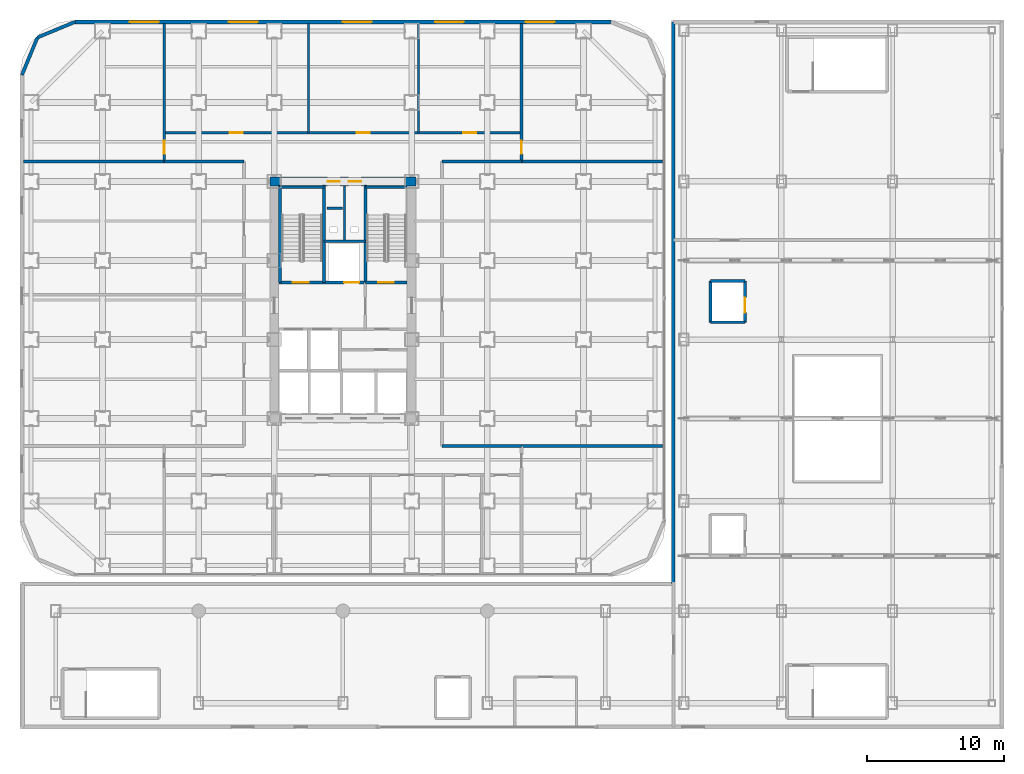
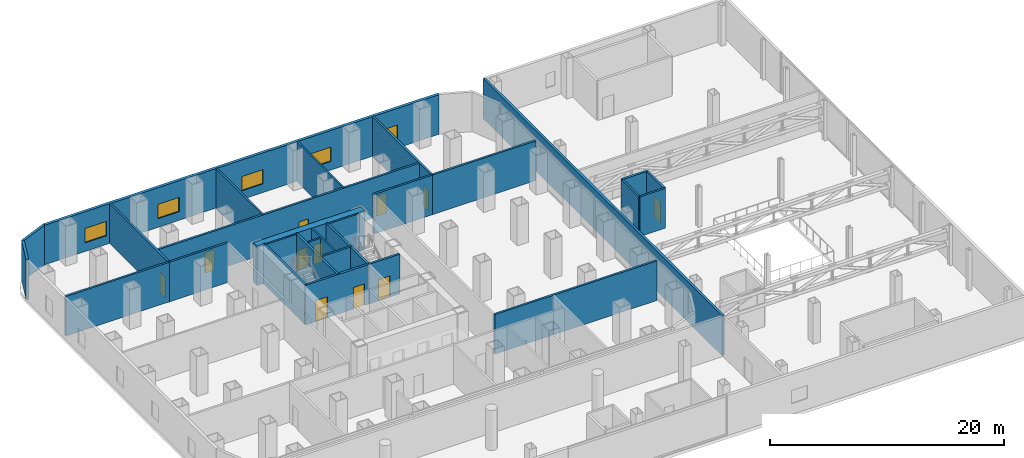
# One storey, part 24 of 28: 30 walls, 11 doors, 5 windows, 16 openings.
"""IFC4 building model written with IfcOpenShell, lengths in metres."""

from ifc_helpers import new_model, si_unit, direction, frame, frame_2d, origin, place, context, subcontext, project, spatial, rectangle, extrude, material, layer, layer_set, type_object, element, fill, save


model = new_model("IFC4")

# Units and contexts
model_context = context("Model", 3, precision=1e-05, world=origin(), true_north=direction((0.0, 1.0)))
body_context = subcontext(model_context, "Body", "Model", "MODEL_VIEW")
ifc_project = project(units=[si_unit("LENGTHUNIT", "METRE"), si_unit("AREAUNIT", "SQUARE_METRE"), si_unit("VOLUMEUNIT", "CUBIC_METRE"), si_unit("PLANEANGLEUNIT", "RADIAN"), si_unit("MASSUNIT", "GRAM", prefix="KILO")], contexts=[model_context])

# Site, building, storey
site_placement = place(None, origin())
site = spatial("IfcSite", under=ifc_project, at=site_placement, CompositionType="ELEMENT")
building_placement = place(site_placement, origin())
building = spatial("IfcBuilding", under=site, at=building_placement, Name="Kolveth Station Tower", CompositionType="ELEMENT")
storey_placement = place(building_placement, frame((0.0, 0.0, 18.0)))
storey = spatial("IfcBuildingStorey", under=building, at=storey_placement, Name="L04", CompositionType="ELEMENT", Elevation=18.0)

# Wall, openings, doors
ifc_material_1 = material(Name="Concrete C60/75", Category="concrete")
ifc_layer_1 = layer(ifc_material_1, 0.64990234375)
ifc_layer_set_1 = layer_set([ifc_layer_1], Name="Concrete C60/75")
wall_type_1 = type_object("IfcWallType", Name="Wall_CW-650", PredefinedType="SHEAR", material=ifc_layer_set_1)
wall_1_placement = place(storey_placement, frame((18.175048828125, 28.75, 0.0), z_axis=(0.0, 0.0, 1.0), x_axis=(1.0, 0.0, 0.0)))
wall_1 = element("IfcWall", 1, at=wall_1_placement, inside=storey, type_object=wall_type_1, Name="L04 Core RC Shear Wall N", PredefinedType="SHEAR", context=body_context, shape_type="SweptSolid", body=[
    extrude(rectangle(XDim=10.64990234375, YDim=0.64990234375, at=frame_2d((5.324951171875, 0.0))), origin(), (0.0, 0.0, 1.0), 4.139892578125),
])
opening_1_placement = place(wall_1_placement, frame((4.205078125, 0.0, 0.0)))
opening_1 = element("IfcOpeningElement", 2, at=opening_1_placement, cuts=wall_1, Name="Opening RD1", PredefinedType="OPENING", context=body_context, shape_type="SweptSolid", body=[
    extrude(rectangle(XDim=0.89990234375, YDim=2.050048828125, at=frame_2d((0.449951171875, 1.02490234375))), frame((0.0, 0.3349609375, 0.0), z_axis=(0.0, -1.0, 0.0), x_axis=(1.0, 0.0, 0.0)), (0.0, 0.0, 1.0), 0.669921875),
])
opening_2_placement = place(wall_1_placement, frame((5.7451171875, 0.0, 0.0)))
opening_2 = element("IfcOpeningElement", 3, at=opening_2_placement, cuts=wall_1, Name="Opening RD1", PredefinedType="OPENING", context=body_context, shape_type="SweptSolid", body=[
    extrude(rectangle(XDim=0.89990234375, YDim=2.050048828125, at=frame_2d((0.449951171875, 1.02490234375))), frame((0.0, 0.3349609375, 0.0), z_axis=(0.0, -1.0, 0.0), x_axis=(1.0, 0.0, 0.0)), (0.0, 0.0, 1.0), 0.669921875),
])
ifc_material_2 = material(Name="Fire-rated Steel S355 riser access leaf", Category="steel")
door_type_1 = type_object("IfcDoorType", Name="Door_RD1", OperationType="NOTDEFINED", PredefinedType="DOOR", material=ifc_material_2)
door_1_placement = place(opening_1_placement, origin())
door_1 = element("IfcDoor", 4, at=door_1_placement, inside=storey, type_object=door_type_1, Name="L04 Electrical Riser Access Door", OperationType="SINGLE_SWING_RIGHT", OverallHeight=2.050048828125, OverallWidth=0.89990234375, PredefinedType="DOOR", context=body_context, shape_type="SweptSolid", body=[
    extrude(rectangle(XDim=0.89990234375, YDim=2.050048828125, at=frame_2d((0.449951171875, 1.02490234375))), frame((0.0, 0.02490234375, 0.0), z_axis=(0.0, -1.0, 0.0), x_axis=(1.0, 0.0, 0.0)), (0.0, 0.0, 1.0), 0.050048828125),
])
fill(opening_1, door_1)
door_2_placement = place(opening_2_placement, origin())
door_2 = element("IfcDoor", 5, at=door_2_placement, inside=storey, type_object=door_type_1, Name="L04 Smoke Duct Access Door", OperationType="SINGLE_SWING_LEFT", OverallHeight=2.050048828125, OverallWidth=0.89990234375, PredefinedType="DOOR", context=body_context, shape_type="SweptSolid", body=[
    extrude(rectangle(XDim=0.89990234375, YDim=2.050048828125, at=frame_2d((0.449951171875, 1.02490234375))), frame((0.0, 0.02490234375, 0.0), z_axis=(0.0, -1.0, 0.0), x_axis=(1.0, 0.0, 0.0)), (0.0, 0.0, 1.0), 0.050048828125),
])
fill(opening_2, door_2)

# Walls
ifc_material_3 = material(Name="Precast concrete C40/50", Category="concrete")
ifc_layer_2 = layer(ifc_material_3, 0.239990234375)
ifc_layer_set_2 = layer_set([ifc_layer_2], Name="Precast concrete C40/50")
wall_type_2 = type_object("IfcWallType", Name="Wall_EW-240", PredefinedType="SOLIDWALL", material=ifc_layer_set_2)
for number, where, z_axis, x_axis, name in (
    (6, (4.0, 40.360107421875, 0.0), (0.0, 0.0, 1.0), (-0.923876833688, -0.382689947836, 0.0), "L04 Podium Rounded Corner Wall 5"),
    (7, (1.2705078125, 39.2294921875, 0.0), (0.0, 0.0, 1.0), (-0.382689947836, -0.923876833688, 0.0), "L04 Podium Rounded Corner Wall 6"),
):
    element("IfcWall", number, at=place(storey_placement, frame(where, z_axis=z_axis, x_axis=x_axis)), inside=storey, type_object=wall_type_2, Name=name, PredefinedType="SOLIDWALL", context=body_context, shape_type="SweptSolid", body=[
        extrude(rectangle(XDim=2.954345703125, YDim=0.239990234375, at=frame_2d((1.47705078125, 0.0))), origin(), (0.0, 0.0, 1.0), 4.139892578125),
    ])
wall_2_placement = place(storey_placement, frame((47.5400390625, -0.5400390625, 0.0), z_axis=(0.0, 0.0, 1.0), x_axis=(0.0, 1.0, 0.0)))
element("IfcWall", 8, at=wall_2_placement, inside=storey, type_object=wall_type_2, Name="L04 Station Exterior Wall JW", PredefinedType="SOLIDWALL", context=body_context, shape_type="SweptSolid", body=[
    extrude(rectangle(XDim=40.89013671875, YDim=0.239990234375, at=frame_2d((20.445068359375, 0.0))), origin(), (0.0, 0.0, 1.0), 4.199951171875),
])

# Wall, openings, windows
ifc_layer_3 = layer(ifc_material_3, 0.280029296875)
ifc_layer_set_3 = layer_set([ifc_layer_3], Name="Precast concrete C40/50")
wall_type_3 = type_object("IfcWallType", Name="Wall_EW-280", PredefinedType="SOLIDWALL", material=ifc_layer_set_3)
wall_3_placement = place(storey_placement, frame((4.0, 40.360107421875, 0.0), z_axis=(0.0, 0.0, 1.0), x_axis=(1.0, 0.0, 0.0)))
wall_3 = element("IfcWall", 9, at=wall_3_placement, inside=storey, type_object=wall_type_3, Name="L04 Tower Podium North Exterior Wall", PredefinedType="SOLIDWALL", context=body_context, shape_type="SweptSolid", body=[
    extrude(rectangle(XDim=39.0, YDim=0.280029296875, at=frame_2d((19.5, 0.0))), origin(), (0.0, 0.0, 1.0), 4.139892578125),
])
opening_3_placement = place(wall_3_placement, frame((4.0, 0.0, 0.89990234375)))
opening_3 = element("IfcOpeningElement", 10, at=opening_3_placement, cuts=wall_3, Name="Opening W6", PredefinedType="OPENING", context=body_context, shape_type="SweptSolid", body=[
    extrude(rectangle(XDim=2.10009765625, YDim=1.5, at=frame_2d((1.050048828125, 0.75))), frame((0.0, 0.14990234375, 0.0), z_axis=(0.0, -1.0, 0.0), x_axis=(1.0, 0.0, 0.0)), (0.0, 0.0, 1.0), 0.300048828125),
])
opening_4_placement = place(wall_3_placement, frame((11.199951171875, 0.0, 0.89990234375)))
opening_4 = element("IfcOpeningElement", 11, at=opening_4_placement, cuts=wall_3, Name="Opening W6", PredefinedType="OPENING", context=body_context, shape_type="SweptSolid", body=[
    extrude(rectangle(XDim=2.10009765625, YDim=1.5, at=frame_2d((1.050048828125, 0.75))), frame((0.0, 0.14990234375, 0.0), z_axis=(0.0, -1.0, 0.0), x_axis=(1.0, 0.0, 0.0)), (0.0, 0.0, 1.0), 0.300048828125),
])
opening_5_placement = place(wall_3_placement, frame((19.5, 0.0, 0.89990234375)))
opening_5 = element("IfcOpeningElement", 12, at=opening_5_placement, cuts=wall_3, Name="Opening W6", PredefinedType="OPENING", context=body_context, shape_type="SweptSolid", body=[
    extrude(rectangle(XDim=2.10009765625, YDim=1.5, at=frame_2d((1.050048828125, 0.75))), frame((0.0, 0.14990234375, 0.0), z_axis=(0.0, -1.0, 0.0), x_axis=(1.0, 0.0, 0.0)), (0.0, 0.0, 1.0), 0.300048828125),
])
opening_6_placement = place(wall_3_placement, frame((26.199951171875, 0.0, 0.89990234375)))
opening_6 = element("IfcOpeningElement", 13, at=opening_6_placement, cuts=wall_3, Name="Opening W6", PredefinedType="OPENING", context=body_context, shape_type="SweptSolid", body=[
    extrude(rectangle(XDim=2.10009765625, YDim=1.5, at=frame_2d((1.050048828125, 0.75))), frame((0.0, 0.14990234375, 0.0), z_axis=(0.0, -1.0, 0.0), x_axis=(1.0, 0.0, 0.0)), (0.0, 0.0, 1.0), 0.300048828125),
])
opening_7_placement = place(wall_3_placement, frame((32.800048828125, 0.0, 0.89990234375)))
opening_7 = element("IfcOpeningElement", 14, at=opening_7_placement, cuts=wall_3, Name="Opening W6", PredefinedType="OPENING", context=body_context, shape_type="SweptSolid", body=[
    extrude(rectangle(XDim=2.10009765625, YDim=1.5, at=frame_2d((1.050048828125, 0.75))), frame((0.0, 0.14990234375, 0.0), z_axis=(0.0, -1.0, 0.0), x_axis=(1.0, 0.0, 0.0)), (0.0, 0.0, 1.0), 0.300048828125),
])
ifc_material_4 = material(Name="Black anodized aluminium 6063-T6 and clear station glass", Category="aluminium")
window_type = type_object("IfcWindowType", Name="Win_W6", PartitioningType="SINGLE_PANEL", PredefinedType="WINDOW", material=ifc_material_4)
window_1_placement = place(opening_3_placement, origin())
window_1 = element("IfcWindow", 15, at=window_1_placement, inside=storey, type_object=window_type, Name="L04 Tower Podium North Window 1", OverallHeight=1.5, OverallWidth=2.10009765625, PartitioningType="SINGLE_PANEL", PredefinedType="WINDOW", context=body_context, shape_type="SweptSolid", body=[
    extrude(rectangle(XDim=2.10009765625, YDim=1.5, at=frame_2d((1.050048828125, 0.75))), frame((0.0, 0.030029296875, 0.0), z_axis=(0.0, -1.0, 0.0), x_axis=(1.0, 0.0, 0.0)), (0.0, 0.0, 1.0), 0.06005859375),
])
fill(opening_3, window_1)
window_2_placement = place(opening_4_placement, origin())
window_2 = element("IfcWindow", 16, at=window_2_placement, inside=storey, type_object=window_type, Name="L04 Tower Podium North Window 2", OverallHeight=1.5, OverallWidth=2.10009765625, PartitioningType="SINGLE_PANEL", PredefinedType="WINDOW", context=body_context, shape_type="SweptSolid", body=[
    extrude(rectangle(XDim=2.10009765625, YDim=1.5, at=frame_2d((1.050048828125, 0.75))), frame((0.0, 0.030029296875, 0.0), z_axis=(0.0, -1.0, 0.0), x_axis=(1.0, 0.0, 0.0)), (0.0, 0.0, 1.0), 0.06005859375),
])
fill(opening_4, window_2)
window_3_placement = place(opening_5_placement, origin())
window_3 = element("IfcWindow", 17, at=window_3_placement, inside=storey, type_object=window_type, Name="L04 Tower Podium North Window 3", OverallHeight=1.5, OverallWidth=2.10009765625, PartitioningType="SINGLE_PANEL", PredefinedType="WINDOW", context=body_context, shape_type="SweptSolid", body=[
    extrude(rectangle(XDim=2.10009765625, YDim=1.5, at=frame_2d((1.050048828125, 0.75))), frame((0.0, 0.030029296875, 0.0), z_axis=(0.0, -1.0, 0.0), x_axis=(1.0, 0.0, 0.0)), (0.0, 0.0, 1.0), 0.06005859375),
])
fill(opening_5, window_3)
window_4_placement = place(opening_6_placement, origin())
window_4 = element("IfcWindow", 18, at=window_4_placement, inside=storey, type_object=window_type, Name="L04 Tower Podium North Window 4", OverallHeight=1.5, OverallWidth=2.10009765625, PartitioningType="SINGLE_PANEL", PredefinedType="WINDOW", context=body_context, shape_type="SweptSolid", body=[
    extrude(rectangle(XDim=2.10009765625, YDim=1.5, at=frame_2d((1.050048828125, 0.75))), frame((0.0, 0.030029296875, 0.0), z_axis=(0.0, -1.0, 0.0), x_axis=(1.0, 0.0, 0.0)), (0.0, 0.0, 1.0), 0.06005859375),
])
fill(opening_6, window_4)
window_5_placement = place(opening_7_placement, origin())
window_5 = element("IfcWindow", 19, at=window_5_placement, inside=storey, type_object=window_type, Name="L04 Tower Podium North Window 5", OverallHeight=1.5, OverallWidth=2.10009765625, PartitioningType="SINGLE_PANEL", PredefinedType="WINDOW", context=body_context, shape_type="SweptSolid", body=[
    extrude(rectangle(XDim=2.10009765625, YDim=1.5, at=frame_2d((1.050048828125, 0.75))), frame((0.0, 0.030029296875, 0.0), z_axis=(0.0, -1.0, 0.0), x_axis=(1.0, 0.0, 0.0)), (0.0, 0.0, 1.0), 0.06005859375),
])
fill(opening_7, window_5)

# Walls
ifc_material_5 = material(Name="Acoustic double-stud gypsum partition")
ifc_layer_4 = layer(ifc_material_5, 0.1650390625)
ifc_layer_set_4 = layer_set([ifc_layer_4], Name="Acoustic double-stud gypsum partition")
wall_type_4 = type_object("IfcWallType", Name="Wall_IW-165", PredefinedType="PARTITIONING", material=ifc_layer_set_4)
wall_4_placement = place(storey_placement, frame((18.8349609375, 28.3349609375, 0.0), z_axis=(0.0, 0.0, 1.0), x_axis=(1.0, 0.0, 0.0)))
element("IfcWall", 20, at=wall_4_placement, inside=storey, type_object=wall_type_4, Name="L04 Stair Shaft Wall WL-L04-ST1-N", PredefinedType="PARTITIONING", context=body_context, shape_type="SweptSolid", body=[
    extrude(rectangle(XDim=3.275146484375, YDim=0.1650390625, at=frame_2d((1.6376953125, 0.0))), origin(), (0.0, 0.0, 1.0), 4.139892578125),
])
wall_5_placement = place(storey_placement, frame((25.1298828125, 28.3349609375, 0.0), z_axis=(0.0, 0.0, 1.0), x_axis=(1.0, 0.0, 0.0)))
element("IfcWall", 21, at=wall_5_placement, inside=storey, type_object=wall_type_4, Name="L04 Stair Shaft Wall WL-L04-ST2-N", PredefinedType="PARTITIONING", context=body_context, shape_type="SweptSolid", body=[
    extrude(rectangle(XDim=3.03515625, YDim=0.1650390625, at=frame_2d((1.517578125, 0.0))), origin(), (0.0, 0.0, 1.0), 4.139892578125),
])
wall_6_placement = place(storey_placement, frame((23.6201171875, 24.39990234375, 0.0), z_axis=(0.0, 0.0, 1.0), x_axis=(0.0, 1.0, 0.0)))
element("IfcWall", 22, at=wall_6_placement, inside=storey, type_object=wall_type_4, Name="L04 Partition Wall WL-L04-RSR-M", PredefinedType="PARTITIONING", context=body_context, shape_type="SweptSolid", body=[
    extrude(rectangle(XDim=4.01513671875, YDim=0.1650390625, at=frame_2d((2.007568359375, 0.0))), origin(), (0.0, 0.0, 1.0), 4.139892578125),
])
for number, where, z_axis, x_axis, name in (
    (23, (21.0, 32.300048828125, 0.0), (0.0, 0.0, 1.0), (0.0, 1.0, 0.0), "L04 Partition Wall WL-L04-TPN-P1"),
    (24, (29.0, 32.300048828125, 0.0), (0.0, 0.0, 1.0), (0.0, 1.0, 0.0), "L04 Partition Wall WL-L04-TPN-P2"),
):
    element("IfcWall", number, at=place(storey_placement, frame(where, z_axis=z_axis, x_axis=x_axis)), inside=storey, type_object=wall_type_4, Name=name, PredefinedType="PARTITIONING", context=body_context, shape_type="SweptSolid", body=[
        extrude(rectangle(XDim=7.949951171875, YDim=0.1650390625, at=frame_2d((3.97509765625, 0.0))), origin(), (0.0, 0.0, 1.0), 4.139892578125),
    ])
wall_7_placement = place(storey_placement, frame((22.35009765625, 26.800048828125, 0.0), z_axis=(0.0, 0.0, 1.0), x_axis=(1.0, 0.0, 0.0)))
element("IfcWall", 25, at=wall_7_placement, inside=storey, type_object=wall_type_4, Name="L04 Acoustic Riser Dry-Lining Wall", PredefinedType="PARTITIONING", context=body_context, shape_type="SweptSolid", body=[
    extrude(rectangle(XDim=1.099853515625, YDim=0.1650390625, at=frame_2d((0.5498046875, 0.0))), origin(), (0.0, 0.0, 1.0), 4.139892578125),
])
ifc_material_6 = material(Name="Acoustic fire-rated gypsum blockwork", Category="masonry")
ifc_layer_5 = layer(ifc_material_6, 0.199951171875)
ifc_layer_set_5 = layer_set([ifc_layer_5], Name="Acoustic fire-rated gypsum blockwork")
wall_type_5 = type_object("IfcWallType", Name="Wall_IW-200", PredefinedType="PARTITIONING", material=ifc_layer_set_5)
wall_8_placement = place(storey_placement, frame((22.110107421875, 24.39990234375, 0.0), z_axis=(0.0, 0.0, 1.0), x_axis=(1.0, 0.0, 0.0)))
element("IfcWall", 26, at=wall_8_placement, inside=storey, type_object=wall_type_5, Name="L04 Partition Wall WL-L04-RSR-S", PredefinedType="PARTITIONING", context=body_context, shape_type="SweptSolid", body=[
    extrude(rectangle(XDim=3.019775390625, YDim=0.199951171875, at=frame_2d((1.509765625, 0.0))), origin(), (0.0, 0.0, 1.0), 4.139892578125),
])

# Wall, openings, doors
wall_9_placement = place(storey_placement, frame((10.5, 32.300048828125, 0.0), z_axis=(0.0, 0.0, 1.0), x_axis=(1.0, 0.0, 0.0)))
wall_9 = element("IfcWall", 27, at=wall_9_placement, inside=storey, type_object=wall_type_5, Name="L04 Partition Wall WL-L04-BN", PredefinedType="PARTITIONING", context=body_context, shape_type="SweptSolid", body=[
    extrude(rectangle(XDim=26.0, YDim=0.199951171875, at=frame_2d((13.0, 0.0))), origin(), (0.0, 0.0, 1.0), 4.139892578125),
])
opening_8_placement = place(wall_9_placement, frame((4.75, 0.0, 0.0)))
opening_8 = element("IfcOpeningElement", 28, at=opening_8_placement, cuts=wall_9, Name="Opening ID1", PredefinedType="OPENING", context=body_context, shape_type="SweptSolid", body=[
    extrude(rectangle(XDim=0.949951171875, YDim=2.14990234375, at=frame_2d((0.47509765625, 1.074951171875))), frame((0.0, 0.10986328125, 0.0), z_axis=(0.0, -1.0, 0.0), x_axis=(1.0, 0.0, 0.0)), (0.0, 0.0, 1.0), 0.219970703125),
])
opening_9_placement = place(wall_9_placement, frame((14.0, 0.0, 0.0)))
opening_9 = element("IfcOpeningElement", 29, at=opening_9_placement, cuts=wall_9, Name="Opening ID1", PredefinedType="OPENING", context=body_context, shape_type="SweptSolid", body=[
    extrude(rectangle(XDim=0.949951171875, YDim=2.14990234375, at=frame_2d((0.47509765625, 1.074951171875))), frame((0.0, 0.10986328125, 0.0), z_axis=(0.0, -1.0, 0.0), x_axis=(1.0, 0.0, 0.0)), (0.0, 0.0, 1.0), 0.219970703125),
])
opening_10_placement = place(wall_9_placement, frame((21.75, 0.0, 0.0)))
opening_10 = element("IfcOpeningElement", 30, at=opening_10_placement, cuts=wall_9, Name="Opening ID1", PredefinedType="OPENING", context=body_context, shape_type="SweptSolid", body=[
    extrude(rectangle(XDim=0.949951171875, YDim=2.14990234375, at=frame_2d((0.47509765625, 1.074951171875))), frame((0.0, 0.10986328125, 0.0), z_axis=(0.0, -1.0, 0.0), x_axis=(1.0, 0.0, 0.0)), (0.0, 0.0, 1.0), 0.219970703125),
])
ifc_material_7 = material(Name="Acoustic hardwood leaf and aluminium frame", Category="wood")
door_type_2 = type_object("IfcDoorType", Name="Door_ID1", OperationType="NOTDEFINED", PredefinedType="DOOR", material=ifc_material_7)
door_3_placement = place(opening_8_placement, origin())
door_3 = element("IfcDoor", 31, at=door_3_placement, inside=storey, type_object=door_type_2, Name="L04 Quiet Study 1 Door", OperationType="SINGLE_SWING_LEFT", OverallHeight=2.14990234375, OverallWidth=0.949951171875, PredefinedType="DOOR", context=body_context, shape_type="SweptSolid", body=[
    extrude(rectangle(XDim=0.949951171875, YDim=2.14990234375, at=frame_2d((0.47509765625, 1.074951171875))), frame((0.0, 0.02490234375, 0.0), z_axis=(0.0, -1.0, 0.0), x_axis=(1.0, 0.0, 0.0)), (0.0, 0.0, 1.0), 0.050048828125),
])
fill(opening_8, door_3)
door_4_placement = place(opening_9_placement, origin())
door_4 = element("IfcDoor", 32, at=door_4_placement, inside=storey, type_object=door_type_2, Name="L04 Quiet Study 2 Door", OperationType="SINGLE_SWING_RIGHT", OverallHeight=2.14990234375, OverallWidth=0.949951171875, PredefinedType="DOOR", context=body_context, shape_type="SweptSolid", body=[
    extrude(rectangle(XDim=0.949951171875, YDim=2.14990234375, at=frame_2d((0.47509765625, 1.074951171875))), frame((0.0, 0.02490234375, 0.0), z_axis=(0.0, -1.0, 0.0), x_axis=(1.0, 0.0, 0.0)), (0.0, 0.0, 1.0), 0.050048828125),
])
fill(opening_9, door_4)
door_5_placement = place(opening_10_placement, origin())
door_5 = element("IfcDoor", 33, at=door_5_placement, inside=storey, type_object=door_type_2, Name="L04 Executive Boardroom Door", OperationType="SINGLE_SWING_LEFT", OverallHeight=2.14990234375, OverallWidth=0.949951171875, PredefinedType="DOOR", context=body_context, shape_type="SweptSolid", body=[
    extrude(rectangle(XDim=0.949951171875, YDim=2.14990234375, at=frame_2d((0.47509765625, 1.074951171875))), frame((0.0, 0.02490234375, 0.0), z_axis=(0.0, -1.0, 0.0), x_axis=(1.0, 0.0, 0.0)), (0.0, 0.0, 1.0), 0.050048828125),
])
fill(opening_10, door_5)

# Walls
for number, where, z_axis, x_axis, name in (
    (34, (30.699951171875, 9.5, 0.0), (0.0, 0.0, 1.0), (1.0, 0.0, 0.0), "L04 Partition Wall WL-L04-BSET"),
    (35, (10.5, 30.199951171875, 0.0), (0.0, 0.0, 1.0), (1.0, 0.0, 0.0), "L04 Partition Wall WL-L04-BNWB"),
    (36, (30.699951171875, 30.199951171875, 0.0), (0.0, 0.0, 1.0), (1.0, 0.0, 0.0), "L04 Partition Wall WL-L04-BNEB"),
):
    element("IfcWall", number, at=place(storey_placement, frame(where, z_axis=z_axis, x_axis=x_axis)), inside=storey, type_object=wall_type_5, Name=name, PredefinedType="PARTITIONING", context=body_context, shape_type="SweptSolid", body=[
        extrude(rectangle(XDim=5.800048828125, YDim=0.199951171875, at=frame_2d((2.89990234375, 0.0))), origin(), (0.0, 0.0, 1.0), 4.139892578125),
    ])

# Wall, opening, door
wall_10_placement = place(storey_placement, frame((10.5, 30.199951171875, 0.0), z_axis=(0.0, 0.0, 1.0), x_axis=(0.0, 1.0, 0.0)))
wall_10 = element("IfcWall", 37, at=wall_10_placement, inside=storey, type_object=wall_type_5, Name="L04 Partition Wall WL-L04-BWN", PredefinedType="PARTITIONING", context=body_context, shape_type="SweptSolid", body=[
    extrude(rectangle(XDim=10.050048828125, YDim=0.199951171875, at=frame_2d((5.02490234375, 0.0))), origin(), (0.0, 0.0, 1.0), 4.139892578125),
])
opening_11_placement = place(wall_10_placement, frame((0.550048828125, 0.0, 0.0)))
opening_11 = element("IfcOpeningElement", 38, at=opening_11_placement, cuts=wall_10, Name="Opening ID1", PredefinedType="OPENING", context=body_context, shape_type="SweptSolid", body=[
    extrude(rectangle(XDim=0.949951171875, YDim=2.14990234375, at=frame_2d((0.47509765625, 1.074951171875))), frame((0.0, 0.10986328125, 0.0), z_axis=(0.0, -1.0, 0.0), x_axis=(1.0, 0.0, 0.0)), (0.0, 0.0, 1.0), 0.219970703125),
])
door_6_placement = place(opening_11_placement, frame((0.949951171875, 0.0, 0.0), z_axis=(0.0, 0.0, 1.0), x_axis=(-1.0, 0.0, 0.0)))
door_6 = element("IfcDoor", 39, at=door_6_placement, inside=storey, type_object=door_type_2, Name="L04 Podium Clinic Office CNW Door", OperationType="SINGLE_SWING_LEFT", OverallHeight=2.14990234375, OverallWidth=0.949951171875, PredefinedType="DOOR", context=body_context, shape_type="SweptSolid", body=[
    extrude(rectangle(XDim=0.949951171875, YDim=2.14990234375, at=frame_2d((0.47509765625, 1.074951171875))), frame((0.0, 0.02490234375, 0.0), z_axis=(0.0, -1.0, 0.0), x_axis=(1.0, 0.0, 0.0)), (0.0, 0.0, 1.0), 0.050048828125),
])
fill(opening_11, door_6)

wall_11_placement = place(storey_placement, frame((36.5, 30.199951171875, 0.0), z_axis=(0.0, 0.0, 1.0), x_axis=(0.0, 1.0, 0.0)))
wall_11 = element("IfcWall", 40, at=wall_11_placement, inside=storey, type_object=wall_type_5, Name="L04 Partition Wall WL-L04-BEN", PredefinedType="PARTITIONING", context=body_context, shape_type="SweptSolid", body=[
    extrude(rectangle(XDim=10.050048828125, YDim=0.199951171875, at=frame_2d((5.02490234375, 0.0))), origin(), (0.0, 0.0, 1.0), 4.139892578125),
])
opening_12_placement = place(wall_11_placement, frame((0.550048828125, 0.0, 0.0)))
opening_12 = element("IfcOpeningElement", 41, at=opening_12_placement, cuts=wall_11, Name="Opening ID1", PredefinedType="OPENING", context=body_context, shape_type="SweptSolid", body=[
    extrude(rectangle(XDim=0.949951171875, YDim=2.14990234375, at=frame_2d((0.47509765625, 1.074951171875))), frame((0.0, 0.10986328125, 0.0), z_axis=(0.0, -1.0, 0.0), x_axis=(1.0, 0.0, 0.0)), (0.0, 0.0, 1.0), 0.219970703125),
])
door_7_placement = place(opening_12_placement, origin())
door_7 = element("IfcDoor", 42, at=door_7_placement, inside=storey, type_object=door_type_2, Name="L04 Podium Clinic Office CNE Door", OperationType="SINGLE_SWING_LEFT", OverallHeight=2.14990234375, OverallWidth=0.949951171875, PredefinedType="DOOR", context=body_context, shape_type="SweptSolid", body=[
    extrude(rectangle(XDim=0.949951171875, YDim=2.14990234375, at=frame_2d((0.47509765625, 1.074951171875))), frame((0.0, 0.02490234375, 0.0), z_axis=(0.0, -1.0, 0.0), x_axis=(1.0, 0.0, 0.0)), (0.0, 0.0, 1.0), 0.050048828125),
])
fill(opening_12, door_7)

# Walls
for number, where, z_axis, x_axis, name in (
    (43, (0.25, 30.199951171875, 0.0), (0.0, 0.0, 1.0), (1.0, 0.0, 0.0), "L04 Partition Wall WL-L04-BWM2"),
    (44, (36.5, 9.5, 0.0), (0.0, 0.0, 1.0), (1.0, 0.0, 0.0), "L04 Partition Wall WL-L04-BEM1"),
    (45, (36.5, 30.199951171875, 0.0), (0.0, 0.0, 1.0), (1.0, 0.0, 0.0), "L04 Partition Wall WL-L04-BEM2"),
):
    element("IfcWall", number, at=place(storey_placement, frame(where, z_axis=z_axis, x_axis=x_axis)), inside=storey, type_object=wall_type_5, Name=name, PredefinedType="PARTITIONING", context=body_context, shape_type="SweptSolid", body=[
        extrude(rectangle(XDim=10.25, YDim=0.199951171875, at=frame_2d((5.125, 0.0))), origin(), (0.0, 0.0, 1.0), 4.139892578125),
    ])
for number, where, z_axis, x_axis, name in (
    (46, (50.25, 18.5, 0.0), (0.0, 0.0, 1.0), (1.0, 0.0, 0.0), "L04 Partition Wall WL-L04-SL2-S"),
    (47, (50.25, 21.5, 0.0), (0.0, 0.0, 1.0), (1.0, 0.0, 0.0), "L04 Partition Wall WL-L04-SL2-N"),
):
    element("IfcWall", number, at=place(storey_placement, frame(where, z_axis=z_axis, x_axis=x_axis)), inside=storey, type_object=wall_type_5, Name=name, PredefinedType="PARTITIONING", context=body_context, shape_type="SweptSolid", body=[
        extrude(rectangle(XDim=2.5, YDim=0.199951171875, at=frame_2d((1.25, 0.0))), origin(), (0.0, 0.0, 1.0), 4.139892578125),
    ])
wall_12_placement = place(storey_placement, frame((50.25, 18.5, 0.0), z_axis=(0.0, 0.0, 1.0), x_axis=(0.0, 1.0, 0.0)))
element("IfcWall", 48, at=wall_12_placement, inside=storey, type_object=wall_type_5, Name="L04 Partition Wall WL-L04-SL2-W", PredefinedType="PARTITIONING", context=body_context, shape_type="SweptSolid", body=[
    extrude(rectangle(XDim=3.0, YDim=0.199951171875, at=frame_2d((1.5, 0.0))), origin(), (0.0, 0.0, 1.0), 4.139892578125),
])

# Wall, opening, door
wall_13_placement = place(storey_placement, frame((52.75, 18.5, 0.0), z_axis=(0.0, 0.0, 1.0), x_axis=(0.0, 1.0, 0.0)))
wall_13 = element("IfcWall", 49, at=wall_13_placement, inside=storey, type_object=wall_type_5, Name="L04 Partition Wall WL-L04-SL2-E", PredefinedType="PARTITIONING", context=body_context, shape_type="SweptSolid", body=[
    extrude(rectangle(XDim=3.0, YDim=0.199951171875, at=frame_2d((1.5, 0.0))), origin(), (0.0, 0.0, 1.0), 4.139892578125),
])
opening_13_placement = place(wall_13_placement, frame((0.699951171875, 0.0, 0.0)))
opening_13 = element("IfcOpeningElement", 50, at=opening_13_placement, cuts=wall_13, Name="Opening LD1", PredefinedType="OPENING", context=body_context, shape_type="SweptSolid", body=[
    extrude(rectangle(XDim=1.10009765625, YDim=2.25, at=frame_2d((0.550048828125, 1.125))), frame((0.0, 0.10986328125, 0.0), z_axis=(0.0, -1.0, 0.0), x_axis=(1.0, 0.0, 0.0)), (0.0, 0.0, 1.0), 0.219970703125),
])
ifc_material_8 = material(Name="Brushed stainless steel sliding landing doors", Category="steel")
door_type_3 = type_object("IfcDoorType", Name="Door_LD1", OperationType="NOTDEFINED", PredefinedType="DOOR", material=ifc_material_8)
door_8_placement = place(opening_13_placement, origin())
door_8 = element("IfcDoor", 51, at=door_8_placement, inside=storey, type_object=door_type_3, Name="L04 Station Lift SL2 Landing Door", OperationType="DOUBLE_DOOR_SLIDING", OverallHeight=2.25, OverallWidth=1.10009765625, PredefinedType="DOOR", context=body_context, shape_type="SweptSolid", body=[
    extrude(rectangle(XDim=1.10009765625, YDim=2.25, at=frame_2d((0.550048828125, 1.125))), frame((0.0, 0.02490234375, 0.0), z_axis=(0.0, -1.0, 0.0), x_axis=(1.0, 0.0, 0.0)), (0.0, 0.0, 1.0), 0.050048828125),
])
fill(opening_13, door_8)

# Walls
ifc_material_9 = material(Name="Concrete C40/50", Category="concrete")
ifc_layer_6 = layer(ifc_material_9, 0.219970703125)
ifc_layer_set_6 = layer_set([ifc_layer_6], Name="Concrete C40/50")
wall_type_6 = type_object("IfcWallType", Name="Wall_IW-220", PredefinedType="SOLIDWALL", material=ifc_layer_set_6)
for number, where, z_axis, x_axis, name in (
    (52, (18.929931640625, 21.389892578125, 0.0), (0.0, 0.0, 1.0), (0.0, 1.0, 0.0), "L04 Stair Shaft Wall WL-L04-ST1-W"),
    (53, (22.110107421875, 21.389892578125, 0.0), (0.0, 0.0, 1.0), (0.0, 1.0, 0.0), "L04 Stair Shaft Wall WL-L04-ST1-E"),
    (54, (25.1298828125, 21.389892578125, 0.0), (0.0, 0.0, 1.0), (0.0, 1.0, 0.0), "L04 Stair Shaft Wall WL-L04-ST2-W"),
):
    element("IfcWall", number, at=place(storey_placement, frame(where, z_axis=z_axis, x_axis=x_axis)), inside=storey, type_object=wall_type_6, Name=name, PredefinedType="SOLIDWALL", context=body_context, shape_type="SweptSolid", body=[
        extrude(rectangle(XDim=7.110107421875, YDim=0.219970703125, at=frame_2d((3.55517578125, 0.0))), origin(), (0.0, 0.0, 1.0), 4.139892578125),
    ])

# Wall, openings, doors
wall_14_placement = place(storey_placement, frame((18.8349609375, 21.389892578125, 0.0), z_axis=(0.0, 0.0, 1.0), x_axis=(1.0, 0.0, 0.0)))
wall_14 = element("IfcWall", 55, at=wall_14_placement, inside=storey, type_object=wall_type_6, Name="L04 Stair Shaft Wall WL-L04-ST1-S", PredefinedType="SOLIDWALL", context=body_context, shape_type="SweptSolid", body=[
    extrude(rectangle(XDim=6.294921875, YDim=0.219970703125, at=frame_2d((3.1474609375, 0.0))), origin(), (0.0, 0.0, 1.0), 4.139892578125),
])
opening_14_placement = place(wall_14_placement, frame((1.014892578125, 0.0, 0.0)))
opening_14 = element("IfcOpeningElement", 56, at=opening_14_placement, cuts=wall_14, Name="Opening FD1", PredefinedType="OPENING", context=body_context, shape_type="SweptSolid", body=[
    extrude(rectangle(XDim=1.14990234375, YDim=2.199951171875, at=frame_2d((0.574951171875, 1.10009765625))), frame((0.0, 0.119873046875, 0.0), z_axis=(0.0, -1.0, 0.0), x_axis=(1.0, 0.0, 0.0)), (0.0, 0.0, 1.0), 0.239990234375),
])
opening_15_placement = place(wall_14_placement, frame((4.7451171875, 0.0, 0.0)))
opening_15 = element("IfcOpeningElement", 57, at=opening_15_placement, cuts=wall_14, Name="Opening LD1", PredefinedType="OPENING", context=body_context, shape_type="SweptSolid", body=[
    extrude(rectangle(XDim=1.10009765625, YDim=2.25, at=frame_2d((0.550048828125, 1.125))), frame((0.0, 0.119873046875, 0.0), z_axis=(0.0, -1.0, 0.0), x_axis=(1.0, 0.0, 0.0)), (0.0, 0.0, 1.0), 0.239990234375),
])
ifc_material_10 = material(Name="Fire-rated Steel S355 leaf and frame", Category="steel")
door_type_4 = type_object("IfcDoorType", Name="Door_FD1", OperationType="NOTDEFINED", PredefinedType="DOOR", material=ifc_material_10)
door_9_placement = place(opening_14_placement, frame((1.14990234375, 0.0, 0.0), z_axis=(0.0, 0.0, 1.0), x_axis=(-1.0, 0.0, 0.0)))
door_9 = element("IfcDoor", 58, at=door_9_placement, inside=storey, type_object=door_type_4, Name="L04 Stair ST1 Fire Door", OperationType="SINGLE_SWING_LEFT", OverallHeight=2.199951171875, OverallWidth=1.14990234375, PredefinedType="DOOR", context=body_context, shape_type="SweptSolid", body=[
    extrude(rectangle(XDim=1.14990234375, YDim=2.199951171875, at=frame_2d((0.574951171875, 1.10009765625))), frame((0.0, 0.02490234375, 0.0), z_axis=(0.0, -1.0, 0.0), x_axis=(1.0, 0.0, 0.0)), (0.0, 0.0, 1.0), 0.050048828125),
])
fill(opening_14, door_9)
door_10_placement = place(opening_15_placement, frame((1.10009765625, 0.0, 0.0), z_axis=(0.0, 0.0, 1.0), x_axis=(-1.0, 0.0, 0.0)))
door_10 = element("IfcDoor", 59, at=door_10_placement, inside=storey, type_object=door_type_3, Name="L04 Service Lift SV1 Landing Door", OperationType="DOUBLE_DOOR_SLIDING", OverallHeight=2.25, OverallWidth=1.10009765625, PredefinedType="DOOR", context=body_context, shape_type="SweptSolid", body=[
    extrude(rectangle(XDim=1.10009765625, YDim=2.25, at=frame_2d((0.550048828125, 1.125))), frame((0.0, 0.02490234375, 0.0), z_axis=(0.0, -1.0, 0.0), x_axis=(1.0, 0.0, 0.0)), (0.0, 0.0, 1.0), 0.050048828125),
])
fill(opening_15, door_10)

# Wall, opening, door
wall_15_placement = place(storey_placement, frame((25.1298828125, 21.389892578125, 0.0), z_axis=(0.0, 0.0, 1.0), x_axis=(1.0, 0.0, 0.0)))
wall_15 = element("IfcWall", 60, at=wall_15_placement, inside=storey, type_object=wall_type_6, Name="L04 Stair Shaft Wall WL-L04-ST2-S", PredefinedType="SOLIDWALL", context=body_context, shape_type="SweptSolid", body=[
    extrude(rectangle(XDim=3.03515625, YDim=0.219970703125, at=frame_2d((1.517578125, 0.0))), origin(), (0.0, 0.0, 1.0), 4.139892578125),
])
opening_16_placement = place(wall_15_placement, frame((0.919921875, 0.0, 0.0)))
opening_16 = element("IfcOpeningElement", 61, at=opening_16_placement, cuts=wall_15, Name="Opening FD1", PredefinedType="OPENING", context=body_context, shape_type="SweptSolid", body=[
    extrude(rectangle(XDim=1.14990234375, YDim=2.199951171875, at=frame_2d((0.574951171875, 1.10009765625))), frame((0.0, 0.119873046875, 0.0), z_axis=(0.0, -1.0, 0.0), x_axis=(1.0, 0.0, 0.0)), (0.0, 0.0, 1.0), 0.239990234375),
])
door_11_placement = place(opening_16_placement, frame((1.14990234375, 0.0, 0.0), z_axis=(0.0, 0.0, 1.0), x_axis=(-1.0, 0.0, 0.0)))
door_11 = element("IfcDoor", 62, at=door_11_placement, inside=storey, type_object=door_type_4, Name="L04 Stair ST2 Fire Door", OperationType="SINGLE_SWING_RIGHT", OverallHeight=2.199951171875, OverallWidth=1.14990234375, PredefinedType="DOOR", context=body_context, shape_type="SweptSolid", body=[
    extrude(rectangle(XDim=1.14990234375, YDim=2.199951171875, at=frame_2d((0.574951171875, 1.10009765625))), frame((0.0, 0.02490234375, 0.0), z_axis=(0.0, -1.0, 0.0), x_axis=(1.0, 0.0, 0.0)), (0.0, 0.0, 1.0), 0.050048828125),
])
fill(opening_16, door_11)

save(model, "model.ifc")
